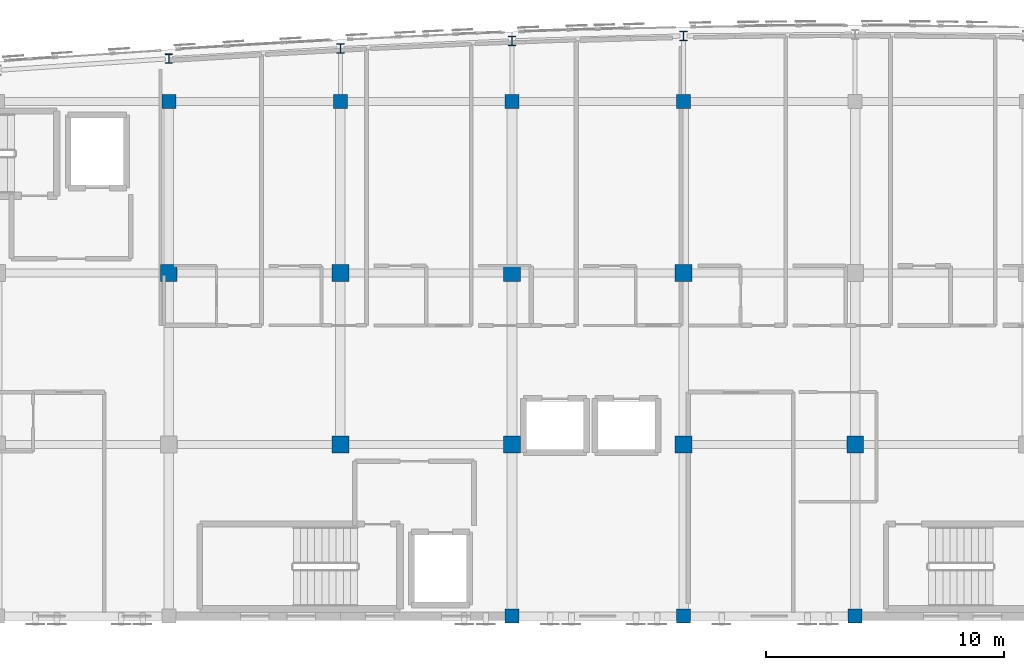
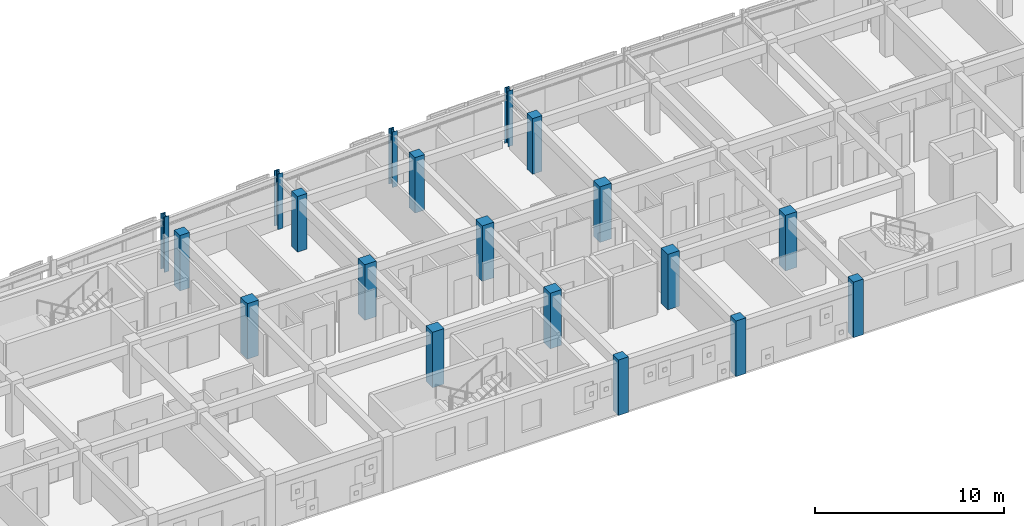
# One storey, part 2 of 48: 19 columns.
"""IFC4 building model written with IfcOpenShell, lengths in metres."""

from ifc_helpers import new_model, si_unit, direction, frame, origin, origin_2d, place, context, subcontext, project, spatial, rectangle, i_section, extrude, material, material_profile, profile_set, type_object, element, save


model = new_model("IFC4")

# Units and contexts
model_context = context("Model", 3, precision=1e-05, world=origin(), true_north=direction((0.0, 1.0)))
body_context = subcontext(model_context, "Body", "Model", "MODEL_VIEW")
ifc_project = project(units=[si_unit("LENGTHUNIT", "METRE"), si_unit("AREAUNIT", "SQUARE_METRE"), si_unit("VOLUMEUNIT", "CUBIC_METRE"), si_unit("PLANEANGLEUNIT", "RADIAN"), si_unit("MASSUNIT", "GRAM", prefix="KILO")], contexts=[model_context])

# Site, building, storey
site_placement = place(None, origin())
site = spatial("IfcSite", under=ifc_project, at=site_placement, CompositionType="ELEMENT")
building_placement = place(site_placement, origin())
building = spatial("IfcBuilding", under=site, at=building_placement, Name="Carrowvane Square Congress Hotel", CompositionType="ELEMENT")
storey_placement = place(building_placement, frame((0.0, 0.0, 26.39990234375)))
storey = spatial("IfcBuildingStorey", under=building, at=storey_placement, Name="L06", CompositionType="ELEMENT", Elevation=26.39990234375)

# Columns
ifc_material_1 = material(Name="Concrete C40/50", Category="concrete")
ifc_material_profile_1 = material_profile(ifc_material_1, rectangle(XDim=0.60009765625, YDim=0.60009765625, at=origin_2d()), Name="RC 600x600")
ifc_profile_set_1 = profile_set([ifc_material_profile_1], Name="Concrete C40/50")
column_type_1 = type_object("IfcColumnType", Name="COL-RC-600", PredefinedType="COLUMN", material=ifc_profile_set_1)
for number, where, z_axis, x_axis, name in (
    (1, (69.199951171875, 113.39990234375, 0.0), (0.0, 0.0, 1.0), (1.0, 0.0, 0.0), "L06 column 9/R"),
    (2, (76.39990234375, 113.39990234375, 0.0), (0.0, 0.0, 1.0), (1.0, 0.0, 0.0), "L06 column 10/R"),
    (3, (83.60009765625, 91.800048828125, 0.0), (0.0, 0.0, 1.0), (1.0, 0.0, 0.0), "L06 column 11/N"),
    (4, (83.60009765625, 113.39990234375, 0.0), (0.0, 0.0, 1.0), (1.0, 0.0, 0.0), "L06 column 11/R"),
    (5, (90.800048828125, 91.800048828125, 0.0), (0.0, 0.0, 1.0), (1.0, 0.0, 0.0), "L06 column 12/N"),
    (6, (90.800048828125, 113.39990234375, 0.0), (0.0, 0.0, 1.0), (1.0, 0.0, 0.0), "L06 column 12/R"),
    (7, (98.0, 91.800048828125, 0.0), (0.0, 0.0, 1.0), (1.0, 0.0, 0.0), "L06 column 13/N"),
):
    element("IfcColumn", number, at=place(storey_placement, frame(where, z_axis=z_axis, x_axis=x_axis)), inside=storey, type_object=column_type_1, Name=name, PredefinedType="COLUMN", context=body_context, shape_type="SweptSolid", body=[
        extrude(rectangle(XDim=0.60009765625, YDim=0.60009765625, at=origin_2d()), origin(), (0.0, 0.0, 1.0), 3.60009765625),
    ])
ifc_material_2 = material(Name="Concrete C40/50", Category="concrete")
ifc_material_profile_2 = material_profile(ifc_material_2, rectangle(XDim=0.699951171875, YDim=0.699951171875, at=origin_2d()), Name="RC 700x700")
ifc_profile_set_2 = profile_set([ifc_material_profile_2], Name="Concrete C40/50")
column_type_2 = type_object("IfcColumnType", Name="COL-RC-700", PredefinedType="COLUMN", material=ifc_profile_set_2)
for number, where, z_axis, x_axis, name in (
    (8, (69.199951171875, 106.199951171875, 0.0), (0.0, 0.0, 1.0), (1.0, 0.0, 0.0), "L06 column 9/Q"),
    (9, (76.39990234375, 99.0, 0.0), (0.0, 0.0, 1.0), (1.0, 0.0, 0.0), "L06 column 10/P"),
    (10, (76.39990234375, 106.199951171875, 0.0), (0.0, 0.0, 1.0), (1.0, 0.0, 0.0), "L06 column 10/Q"),
    (11, (83.60009765625, 99.0, 0.0), (0.0, 0.0, 1.0), (1.0, 0.0, 0.0), "L06 column 11/P"),
    (12, (83.60009765625, 106.199951171875, 0.0), (0.0, 0.0, 1.0), (1.0, 0.0, 0.0), "L06 column 11/Q"),
    (13, (90.800048828125, 99.0, 0.0), (0.0, 0.0, 1.0), (1.0, 0.0, 0.0), "L06 column 12/P"),
    (14, (90.800048828125, 106.199951171875, 0.0), (0.0, 0.0, 1.0), (1.0, 0.0, 0.0), "L06 column 12/Q"),
    (15, (98.0, 99.0, 0.0), (0.0, 0.0, 1.0), (1.0, 0.0, 0.0), "L06 column 13/P"),
):
    element("IfcColumn", number, at=place(storey_placement, frame(where, z_axis=z_axis, x_axis=x_axis)), inside=storey, type_object=column_type_2, Name=name, PredefinedType="COLUMN", context=body_context, shape_type="SweptSolid", body=[
        extrude(rectangle(XDim=0.699951171875, YDim=0.699951171875, at=origin_2d()), origin(), (0.0, 0.0, 1.0), 3.60009765625),
    ])
ifc_material_3 = material(Name="Steel S355", Category="steel")
ifc_material_profile_3 = material_profile(ifc_material_3, i_section(OverallWidth=0.300048828125, OverallDepth=0.39990234375, WebThickness=0.013427734375, FlangeThickness=0.02392578125, FilletRadius=0.027099609375, at=origin_2d()), Name="HEB 400")
ifc_profile_set_3 = profile_set([ifc_material_profile_3], Name="Steel S355")
column_type_3 = type_object("IfcColumnType", Name="COL-ST-HEB400", PredefinedType="COLUMN", material=ifc_profile_set_3)
for number, where, z_axis, x_axis, name in (
    (16, (69.199951171875, 115.1943359375, 0.0), (0.0, 0.0, 1.0), (1.0, 0.0, 0.0), "L06 column 9/ARC"),
    (17, (76.39990234375, 115.61767578125, 0.0), (0.0, 0.0, 1.0), (1.0, 0.0, 0.0), "L06 column 10/ARC"),
    (18, (83.60009765625, 115.944091796875, 0.0), (0.0, 0.0, 1.0), (1.0, 0.0, 0.0), "L06 column 11/ARC"),
    (19, (90.800048828125, 116.14990234375, 0.0), (0.0, 0.0, 1.0), (1.0, 0.0, 0.0), "L06 column 12/ARC"),
):
    element("IfcColumn", number, at=place(storey_placement, frame(where, z_axis=z_axis, x_axis=x_axis)), inside=storey, type_object=column_type_3, Name=name, PredefinedType="COLUMN", context=body_context, shape_type="SweptSolid", body=[
        extrude(i_section(OverallWidth=0.300048828125, OverallDepth=0.39990234375, WebThickness=0.013427734375, FlangeThickness=0.02392578125, FilletRadius=0.027099609375, at=origin_2d()), origin(), (0.0, 0.0, 1.0), 3.60009765625),
    ])

save(model, "model.ifc")
